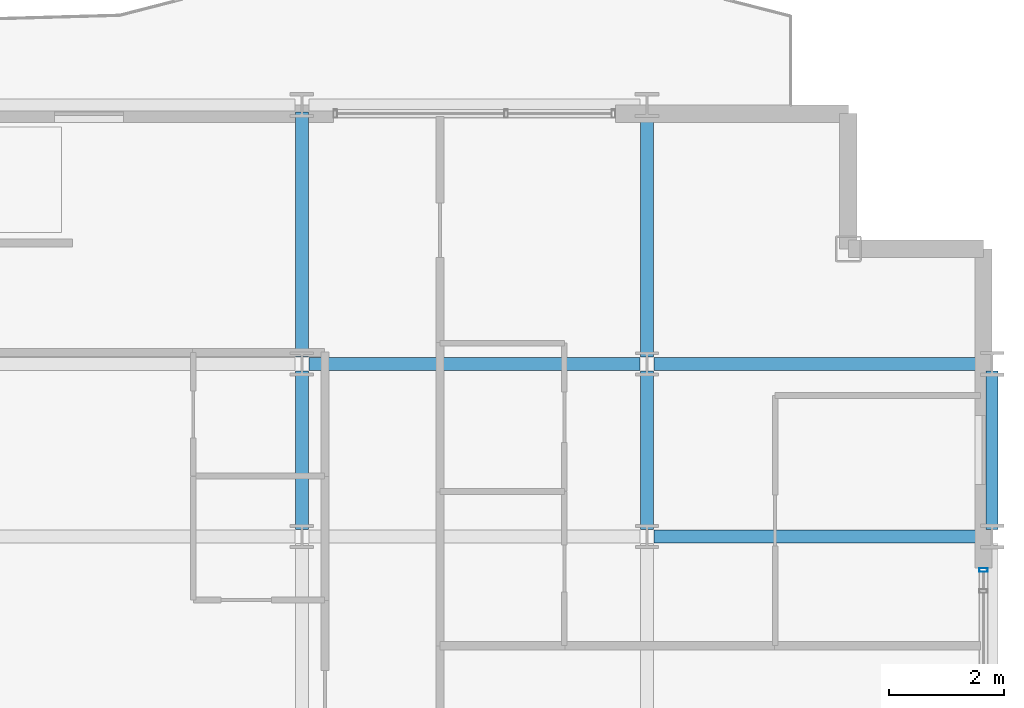
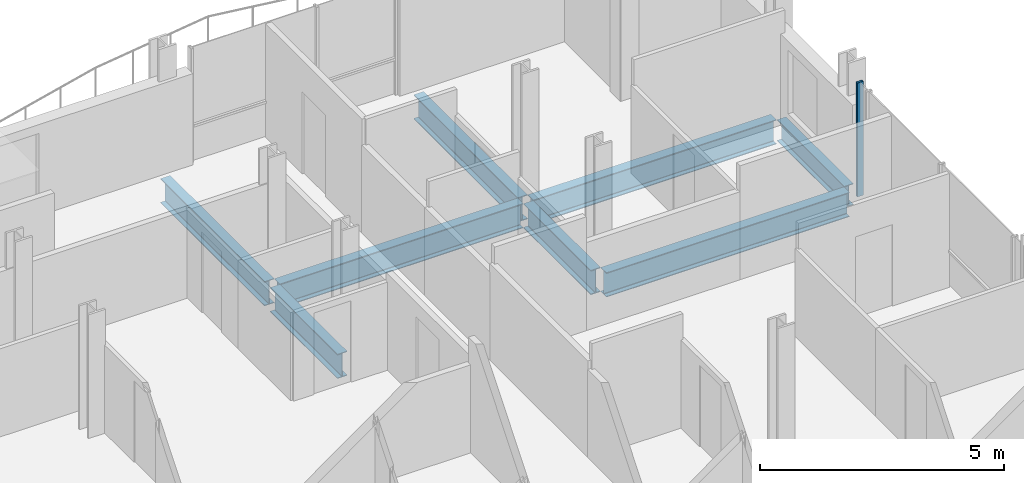
# One storey, part 20 of 40: 8 beams, 1 member, 1 element without a shape of its own.
"""IFC4 building model written with IfcOpenShell, lengths in metres."""

from ifc_helpers import new_model, si_unit, direction, frame, origin, origin_2d, place, context, subcontext, project, spatial, hollow_rectangle, i_section, extrude, material, layer, layer_set, material_profile, profile_set, type_object, element, aggregate, save


model = new_model("IFC4")

# Units and contexts
model_context = context("Model", 3, precision=1e-05, world=origin(), true_north=direction((0.0, 1.0)))
body_context = subcontext(model_context, "Body", "Model", "MODEL_VIEW")
ifc_project = project(units=[si_unit("LENGTHUNIT", "METRE"), si_unit("AREAUNIT", "SQUARE_METRE"), si_unit("VOLUMEUNIT", "CUBIC_METRE"), si_unit("PLANEANGLEUNIT", "RADIAN"), si_unit("MASSUNIT", "GRAM", prefix="KILO")], contexts=[model_context])

# Site, building, storey
site_placement = place(None, origin())
site = spatial("IfcSite", under=ifc_project, at=site_placement, CompositionType="ELEMENT")
building_placement = place(site_placement, origin())
building = spatial("IfcBuilding", under=site, at=building_placement, Name="Brevholm Reach", CompositionType="ELEMENT")
storey_placement = place(building_placement, frame((0.0, 0.0, 131.39990234375)))
storey = spatial("IfcBuildingStorey", under=building, at=storey_placement, Name="L39", CompositionType="ELEMENT", Elevation=131.39990234375)

# Beams
ifc_material_1 = material(Name="Structural Steel S355J2", Category="steel")
ifc_material_profile_1 = material_profile(ifc_material_1, i_section(OverallWidth=0.209228515625, OverallDepth=0.533203125, WebThickness=0.010009765625, FlangeThickness=0.015625, FilletRadius=0.0126953125, at=origin_2d()), Name="UKB 533x210x92")
ifc_profile_set_1 = profile_set([ifc_material_profile_1], Name="Structural Steel S355J2")
beam_type_1 = type_object("IfcBeamType", Name="BM-SP533", PredefinedType="SPANDREL", material=ifc_profile_set_1)
beam_1_placement = place(storey_placement, frame((60.0, 23.6201171875, -0.486572265625), z_axis=(0.0, 1.0, 0.0), x_axis=(-1.0, 0.0, 0.0)))
element("IfcBeam", 1, at=beam_1_placement, inside=storey, type_object=beam_type_1, Name="L39 SP-02 Framing Beam", PredefinedType="SPANDREL", context=body_context, shape_type="SweptSolid", body=[
    extrude(i_section(OverallWidth=0.209228515625, OverallDepth=0.533203125, WebThickness=0.010009765625, FlangeThickness=0.015625, FilletRadius=0.0126953125, at=origin_2d()), origin(), (0.0, 0.0, 1.0), 2.759765625),
])
ifc_material_2 = material(Name="Structural Steel S355J2", Category="steel")
ifc_material_profile_2 = material_profile(ifc_material_2, i_section(OverallWidth=0.22900390625, OverallDepth=0.6123046875, WebThickness=0.011962890625, FlangeThickness=0.01953125, FilletRadius=0.0126953125, at=origin_2d()), Name="UKB 610x229x125")
ifc_profile_set_2 = profile_set([ifc_material_profile_2], Name="Structural Steel S355J2")
beam_type_2 = type_object("IfcBeamType", Name="BM-SP610", PredefinedType="SPANDREL", material=ifc_profile_set_2)
for number, where, z_axis, x_axis, name in (
    (2, (54.1201171875, 23.5, -0.526123046875), (1.0, 0.0, 0.0), (0.0, 1.0, 0.0), "L39 SP-01 Framing Beam"),
    (3, (48.1201171875, 26.5, -0.526123046875), (1.0, 0.0, 0.0), (0.0, 1.0, 0.0), "L39 SP-01 Framing Beam"),
    (4, (54.1201171875, 26.5, -0.526123046875), (1.0, 0.0, 0.0), (0.0, 1.0, 0.0), "L39 SP-01 Framing Beam"),
):
    element("IfcBeam", number, at=place(storey_placement, frame(where, z_axis=z_axis, x_axis=x_axis)), inside=storey, type_object=beam_type_2, Name=name, PredefinedType="SPANDREL", context=body_context, shape_type="SweptSolid", body=[
        extrude(i_section(OverallWidth=0.22900390625, OverallDepth=0.6123046875, WebThickness=0.011962890625, FlangeThickness=0.01953125, FilletRadius=0.0126953125, at=origin_2d()), origin(), (0.0, 0.0, 1.0), 5.759765625),
    ])
beam_2_placement = place(storey_placement, frame((48.0, 23.6201171875, -0.526123046875), z_axis=(0.0, 1.0, 0.0), x_axis=(-1.0, 0.0, 0.0)))
element("IfcBeam", 5, at=beam_2_placement, inside=storey, type_object=beam_type_2, Name="L39 SP-01 Framing Beam", PredefinedType="SPANDREL", context=body_context, shape_type="SweptSolid", body=[
    extrude(i_section(OverallWidth=0.22900390625, OverallDepth=0.6123046875, WebThickness=0.011962890625, FlangeThickness=0.01953125, FilletRadius=0.0126953125, at=origin_2d()), origin(), (0.0, 0.0, 1.0), 2.759765625),
])
beam_3_placement = place(storey_placement, frame((48.0, 26.6201171875, -0.526123046875), z_axis=(0.0, 1.0, 0.0), x_axis=(-1.0, 0.0, 0.0)))
element("IfcBeam", 6, at=beam_3_placement, inside=storey, type_object=beam_type_2, Name="L39 SP-01 Framing Beam", PredefinedType="SPANDREL", context=body_context, shape_type="SweptSolid", body=[
    extrude(i_section(OverallWidth=0.22900390625, OverallDepth=0.6123046875, WebThickness=0.011962890625, FlangeThickness=0.01953125, FilletRadius=0.0126953125, at=origin_2d()), origin(), (0.0, 0.0, 1.0), 4.259765625),
])
beam_4_placement = place(storey_placement, frame((54.0, 23.6201171875, -0.526123046875), z_axis=(0.0, 1.0, 0.0), x_axis=(-1.0, 0.0, 0.0)))
element("IfcBeam", 7, at=beam_4_placement, inside=storey, type_object=beam_type_2, Name="L39 SP-01 Framing Beam", PredefinedType="SPANDREL", context=body_context, shape_type="SweptSolid", body=[
    extrude(i_section(OverallWidth=0.22900390625, OverallDepth=0.6123046875, WebThickness=0.011962890625, FlangeThickness=0.01953125, FilletRadius=0.0126953125, at=origin_2d()), origin(), (0.0, 0.0, 1.0), 2.759765625),
])
beam_5_placement = place(storey_placement, frame((54.0, 26.6201171875, -0.526123046875), z_axis=(0.0, 1.0, 0.0), x_axis=(-1.0, 0.0, 0.0)))
element("IfcBeam", 8, at=beam_5_placement, inside=storey, type_object=beam_type_2, Name="L39 SP-01 Framing Beam", PredefinedType="SPANDREL", context=body_context, shape_type="SweptSolid", body=[
    extrude(i_section(OverallWidth=0.22900390625, OverallDepth=0.6123046875, WebThickness=0.011962890625, FlangeThickness=0.01953125, FilletRadius=0.0126953125, at=origin_2d()), origin(), (0.0, 0.0, 1.0), 4.259765625),
])

# Curtain wall, member
ifc_material_3 = material(Name="Dark Anodised Aluminium 6063-T6 and Solar-Control Glass", Category="aluminium")
ifc_layer = layer(ifc_material_3, 0.14990234375)
ifc_layer_set = layer_set([ifc_layer], Name="Dark Anodised Aluminium 6063-T6 and Solar-Control Glass")
curtain_wall_type = type_object("IfcCurtainWallType", Name="CW-01", PredefinedType="NOTDEFINED", material=ifc_layer_set)
curtain_wall_placement = place(storey_placement, origin())
curtain_wall = element("IfcCurtainWall", 9, at=curtain_wall_placement, inside=storey, type_object=curtain_wall_type, Name="L39 Curtain Wall CW-01", PredefinedType="NOTDEFINED")
ifc_material_4 = material(Name="Dark Anodised Aluminium 6063-T6", Category="aluminium")
ifc_material_profile_3 = material_profile(ifc_material_4, hollow_rectangle(XDim=0.06494140625, YDim=0.14990234375, WallThickness=0.0048828125, InnerFilletRadius=0.0048828125, OuterFilletRadius=0.010009765625, at=origin_2d()), Name="RHS 150x65x5")
ifc_profile_set_3 = profile_set([ifc_material_profile_3], Name="Dark Anodised Aluminium 6063-T6")
member_type = type_object("IfcMemberType", Name="CWM-150", PredefinedType="MULLION", material=ifc_profile_set_3)
member_placement = place(storey_placement, frame((59.85009765625, 22.91748046875, 0.0), z_axis=(0.0, 0.0, 1.0), x_axis=(0.0, 1.0, 0.0)))
member = element("IfcMember", 10, at=member_placement, type_object=member_type, Name="CM-150 Mullion 6", PredefinedType="MULLION", context=body_context, shape_type="SweptSolid", body=[
    extrude(hollow_rectangle(XDim=0.06494140625, YDim=0.14990234375, WallThickness=0.0048828125, InnerFilletRadius=0.0048828125, OuterFilletRadius=0.010009765625, at=origin_2d()), origin(), (0.0, 0.0, 1.0), 2.85009765625),
])
aggregate(curtain_wall, [member])

save(model, "model.ifc")
